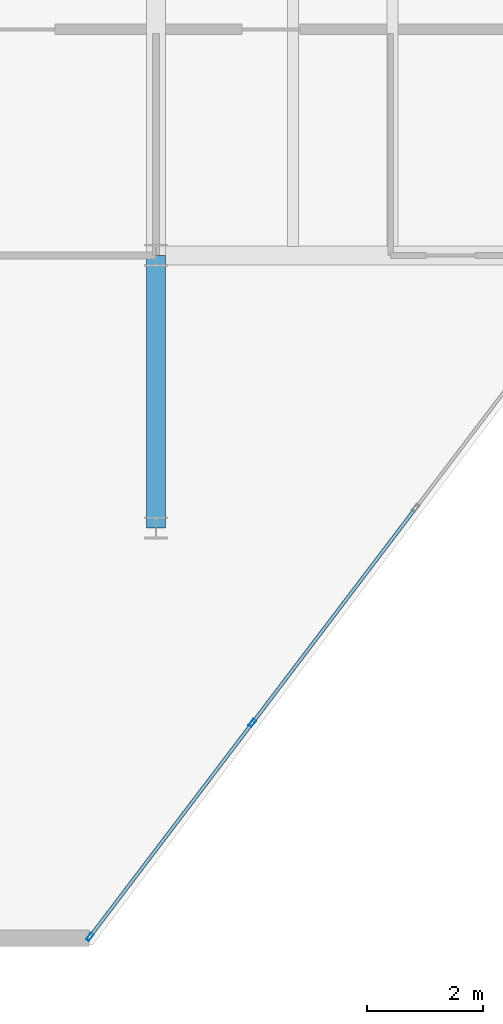
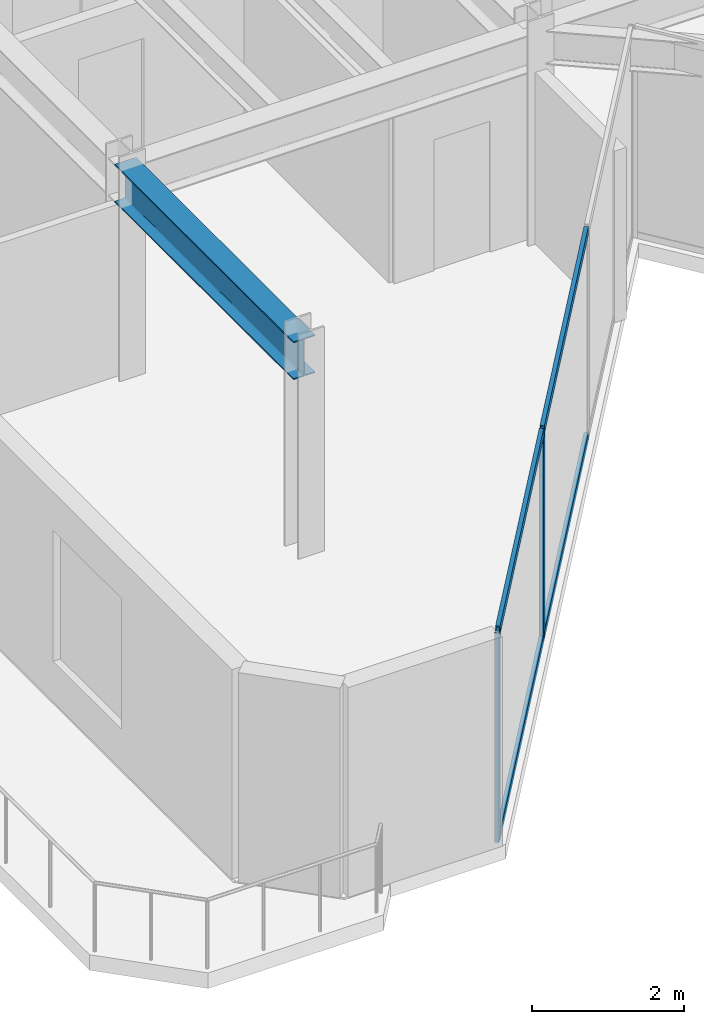
# One storey, part 2 of 16: 6 members, 1 beam, 1 element without a shape of its own.
"""IFC4 building model written with IfcOpenShell, lengths in metres."""

import ifcopenshell
import ifcopenshell.guid

model = None  # the IFC model being written
_history = None  # IfcOwnerHistory: only IFC2X3 demands one
_inside = {}  # id of a spatial element -> (the spatial element, [elements in it])
_under = {}  # id of a project, library or spatial element -> (it, [spatial elements below it])
_declared = {}  # id of a project -> (the project, [libraries it declares])
_typed = {}  # id of a type object -> (the type object, [elements of that type])
_made_of = {}  # id of a material, layer set ... -> (it, [elements and type objects made of it])


def new_model(schema):
    """Start an empty IFC model of exactly this schema.

    Asked for "IFC4X3", IfcOpenShell would pick the latest addendum, in which some entities
    have other attributes; the version numbers below select the first issue.
    IFC2X3 requires an IfcOwnerHistory on every rooted entity: one is made here for all.
    """
    global model, _history
    if schema == "IFC4X3":
        model = ifcopenshell.file(schema_version=(4, 3, 0, 0))
    else:
        model = ifcopenshell.file(schema=schema)
    _inside.clear()
    _under.clear()
    _declared.clear()
    _typed.clear()
    _made_of.clear()
    _history = None
    if model.schema == "IFC2X3":
        org = make("IfcOrganization", Name="unknown")
        user = make(
            "IfcPersonAndOrganization",
            ThePerson=make("IfcPerson", FamilyName="unknown"),
            TheOrganization=org,
        )
        app = make(
            "IfcApplication",
            ApplicationDeveloper=org,
            Version="unknown",
            ApplicationFullName="unknown",
            ApplicationIdentifier="unknown",
        )
        _history = make(
            "IfcOwnerHistory",
            OwningUser=user,
            OwningApplication=app,
            ChangeAction="ADDED",
            CreationDate=0,
        )
    return model


def make(cls, **values):
    """One entity of the class cls with the attributes given. An attribute that is None is left unset."""
    return model.create_entity(
        cls, **{name: value for name, value in values.items() if value is not None}
    )


def rooted(cls, **values):
    """An entity with a GlobalId (a new one), such as an element, a storey or a relation."""
    return make(cls, GlobalId=ifcopenshell.guid.new(), OwnerHistory=_history, **values)


def si_unit(unit_type, name, prefix=None):
    """IfcSIUnit, for example si_unit("LENGTHUNIT", "METRE", prefix="MILLI")."""
    return make("IfcSIUnit", UnitType=unit_type, Prefix=prefix, Name=name)


def assignment(units):
    """IfcUnitAssignment: the units of a project."""
    return None if units is None else make("IfcUnitAssignment", Units=units)


def point(xyz):
    """IfcCartesianPoint."""
    return None if xyz is None else make("IfcCartesianPoint", Coordinates=xyz)


def direction(xyz):
    """IfcDirection."""
    return None if xyz is None else make("IfcDirection", DirectionRatios=xyz)


def frame(location, z_axis=None, x_axis=None):
    """IfcAxis2Placement3D, a coordinate frame: its origin and axes. An axis left out is left unset."""
    return make(
        "IfcAxis2Placement3D",
        Location=point(location),
        Axis=direction(z_axis),
        RefDirection=direction(x_axis),
    )


def frame_2d(location, x_axis=None):
    """IfcAxis2Placement2D, a coordinate frame in the plane: its origin and x axis."""
    return make(
        "IfcAxis2Placement2D", Location=point(location), RefDirection=direction(x_axis)
    )


def origin():
    """The frame at (0, 0, 0) with its axes left unset."""
    return frame((0.0, 0.0, 0.0))


def origin_2d():
    """The frame at (0, 0) in the plane with its x axis left unset."""
    return frame_2d((0.0, 0.0))


def place(relative_to, where):
    """IfcLocalPlacement: puts the frame where relative to a parent placement (None: the world)."""
    return make(
        "IfcLocalPlacement", PlacementRelTo=relative_to, RelativePlacement=where
    )


def context(
    kind, dimensions, precision=None, world=None, true_north=None, identifier=None
):
    """IfcGeometricRepresentationContext, for example the 3D "Model" context."""
    return make(
        "IfcGeometricRepresentationContext",
        ContextIdentifier=identifier,
        ContextType=kind,
        CoordinateSpaceDimension=dimensions,
        Precision=precision,
        WorldCoordinateSystem=world,
        TrueNorth=true_north,
    )


def subcontext(parent, identifier, kind, view, scale=None):
    """IfcGeometricRepresentationSubContext, for example "Body" below "Model"."""
    return make(
        "IfcGeometricRepresentationSubContext",
        ContextIdentifier=identifier,
        ContextType=kind,
        ParentContext=parent,
        TargetScale=scale,
        TargetView=view,
    )


def project(units=None, contexts=None):
    """IfcProject with its units and contexts."""
    return rooted(
        "IfcProject",
        Name="project",
        RepresentationContexts=contexts,
        UnitsInContext=assignment(units),
    )


def spatial(cls, under=None, at=None, **own):
    """A site, building, storey or space (cls), placed at a placement, below another one or the project."""
    s = rooted(cls, ObjectPlacement=at, **own)
    if under is not None:
        _under.setdefault(under.id(), (under, []))[1].append(s)
    return s


def profile(cls, at=None, kind="AREA", **sizes):
    """A parametric profile (cls). Its sizes go by their IFC names, for example OverallWidth=200.0."""
    return make(cls, ProfileType=kind, Position=at, **sizes)


def hollow_rectangle(**sizes):
    """IfcRectangleHollowProfileDef."""
    return profile("IfcRectangleHollowProfileDef", **sizes)


def i_section(**sizes):
    """IfcIShapeProfileDef."""
    return profile("IfcIShapeProfileDef", **sizes)


def extrude(swept, where, along, depth):
    """IfcExtrudedAreaSolid: the profile swept, set in the frame where, extruded along a direction by depth."""
    return make(
        "IfcExtrudedAreaSolid",
        SweptArea=swept,
        Position=where,
        ExtrudedDirection=direction(along),
        Depth=depth,
    )


def shape(context_of_items, identifier, shape_type, items):
    """IfcShapeRepresentation: the items that make up one representation, for example the "Body"."""
    return make(
        "IfcShapeRepresentation",
        ContextOfItems=context_of_items,
        RepresentationIdentifier=identifier,
        RepresentationType=shape_type,
        Items=items,
    )


def material(Name=None, Category=None):
    """IfcMaterial."""
    return make("IfcMaterial", Name=Name, Category=Category)


def layer(
    of_material, thickness, ventilated=None, Name=None, Category=None, Priority=None
):
    """IfcMaterialLayer: one layer of a wall or slab, of a material (None: an air gap)."""
    return make(
        "IfcMaterialLayer",
        Material=of_material,
        LayerThickness=thickness,
        IsVentilated=ventilated,
        Name=Name,
        Category=Category,
        Priority=Priority,
    )


def layer_set(layers, Name=None):
    """IfcMaterialLayerSet."""
    return make("IfcMaterialLayerSet", MaterialLayers=layers, LayerSetName=Name)


def material_profile(
    of_material, cross_section, Name=None, Category=None, Priority=None
):
    """IfcMaterialProfile: a cross section and its material."""
    return make(
        "IfcMaterialProfile",
        Name=Name,
        Material=of_material,
        Profile=cross_section,
        Priority=Priority,
        Category=Category,
    )


def profile_set(profiles, Name=None, composite=None):
    """IfcMaterialProfileSet."""
    return make(
        "IfcMaterialProfileSet",
        Name=Name,
        MaterialProfiles=profiles,
        CompositeProfile=composite,
    )


def made_of(thing, what):
    """Note that an element or type object is made of a material, layer set ...; save() writes the relation."""
    if what is not None:
        _made_of.setdefault(what.id(), (what, []))[1].append(thing)
    return thing


def type_object(cls, material=None, **own):
    """A type object (cls), such as IfcWallType, which elements share."""
    return made_of(rooted(cls, **own), material)


def element(
    cls,
    number,
    at=None,
    inside=None,
    cuts=None,
    type_object=None,
    material=None,
    context=None,
    identifier="Body",
    shape_type=None,
    held_by="IfcProductDefinitionShape",
    body=None,
    shapes=None,
    **own,
):
    """One element of the class cls, such as IfcWall. Its Tag is "e" and its number.

    at: its placement. inside: the storey or other place that contains it. cuts: it is an
    opening in that element (IfcRelVoidsElement). A single representation is given by context,
    identifier, shape_type and body (its items); several are given by shapes. held_by: the class
    of the entity that holds the representations. save() writes the other relations.
    """
    e = rooted(cls, Tag="e%d" % number, ObjectPlacement=at, **own)
    if body is not None:
        shapes = [shape(context, identifier, shape_type, body)]
    if shapes is not None:
        e.Representation = make(held_by, Representations=shapes)
    if inside is not None:
        _inside.setdefault(inside.id(), (inside, []))[1].append(e)
    if cuts is not None:
        rooted(
            "IfcRelVoidsElement", RelatingBuildingElement=cuts, RelatedOpeningElement=e
        )
    if type_object is not None:
        _typed.setdefault(type_object.id(), (type_object, []))[1].append(e)
    return made_of(e, material)


def aggregate(whole, parts):
    """IfcRelAggregates: a whole, such as a stair, and the parts it consists of."""
    return rooted("IfcRelAggregates", RelatingObject=whole, RelatedObjects=parts)


def save(model, path):
    """Write the relations noted so far, then the file.

    IfcRelAggregates (storeys below a building ...), IfcRelContainedInSpatialStructure (elements
    in a storey), IfcRelDefinesByType, IfcRelAssociatesMaterial and IfcRelDeclares: one each for
    every whole, place, type object, material and project.
    """
    for whole, parts in _under.values():
        aggregate(whole, parts)
    for where, things in _inside.values():
        rooted(
            "IfcRelContainedInSpatialStructure",
            RelatedElements=things,
            RelatingStructure=where,
        )
    for kind, things in _typed.values():
        rooted("IfcRelDefinesByType", RelatedObjects=things, RelatingType=kind)
    for what, things in _made_of.values():
        rooted("IfcRelAssociatesMaterial", RelatedObjects=things, RelatingMaterial=what)
    for by, libraries in _declared.values():
        rooted("IfcRelDeclares", RelatingContext=by, RelatedDefinitions=libraries)
    model.write(path)


model = new_model("IFC4")

# Units and contexts
model_context = context("Model", 3, precision=1e-05, world=origin(), true_north=direction((0.0, 1.0)))
body_context = subcontext(model_context, "Body", "Model", "MODEL_VIEW")
ifc_project = project(units=[si_unit("LENGTHUNIT", "METRE"), si_unit("AREAUNIT", "SQUARE_METRE"), si_unit("VOLUMEUNIT", "CUBIC_METRE"), si_unit("PLANEANGLEUNIT", "RADIAN"), si_unit("MASSUNIT", "GRAM", prefix="KILO")], contexts=[model_context])

# Site, building, storey
site_placement = place(None, origin())
site = spatial("IfcSite", under=ifc_project, at=site_placement, CompositionType="ELEMENT")
building_placement = place(site_placement, origin())
building = spatial("IfcBuilding", under=site, at=building_placement, Name="Kravanh Interchange Tower", CompositionType="ELEMENT")
storey_placement = place(building_placement, frame((0.0, 0.0, 296.699951171875)))
storey = spatial("IfcBuildingStorey", under=building, at=storey_placement, Name="L73", CompositionType="ELEMENT", Elevation=296.699951171875)

# Curtain wall, members
ifc_material_1 = material(Name="Anodised Bronze Aluminium", Category="aluminium")
ifc_layer = layer(ifc_material_1, 0.179931640625)
ifc_layer_set = layer_set([ifc_layer], Name="Unitised Curtain Wall System CW-HTL Luxury Hotel")
curtain_wall_type = type_object("IfcCurtainWallType", Name="Unitised Curtain Wall System CW-HTL Luxury Hotel", PredefinedType="NOTDEFINED", material=ifc_layer_set)
curtain_wall_placement = place(storey_placement, origin())
curtain_wall = element("IfcCurtainWall", 1, at=curtain_wall_placement, inside=storey, type_object=curtain_wall_type, Name="L73 Unitised Curtain Wall CW-L73-05", PredefinedType="NOTDEFINED")
ifc_material_2 = material(Name="Anodised Bronze Aluminium", Category="aluminium")
ifc_material_profile_1 = material_profile(ifc_material_2, hollow_rectangle(XDim=0.06005859375, YDim=0.139892578125, WallThickness=0.00390625, at=origin_2d()), Name="ALU60X140X4")
ifc_profile_set_1 = profile_set([ifc_material_profile_1], Name="Anodised Bronze Aluminium")
member_type_1 = type_object("IfcMemberType", Name="Curtain Wall Mullion ALU60X140X4 Bronze", PredefinedType="MULLION", material=ifc_profile_set_1)
member_1_placement = place(storey_placement, frame((40.26025390625, 23.430419921875, 0.0), z_axis=(0.0, 0.0, 1.0), x_axis=(0.796161642797, -0.605083992962, 0.0)))
member_1 = element("IfcMember", 2, at=member_1_placement, type_object=member_type_1, Name="CW-HTL mullion 3", PredefinedType="MULLION", context=body_context, shape_type="SweptSolid", body=[
    extrude(hollow_rectangle(XDim=0.06005859375, YDim=0.139892578125, WallThickness=0.00390625, at=origin_2d()), origin(), (0.0, 0.0, 1.0), 3.364990234375),
])
member_2_placement = place(storey_placement, frame((37.458740234375, 19.743896484375, 0.0), z_axis=(0.0, 0.0, 1.0), x_axis=(0.796161642797, -0.605083992962, 0.0)))
member_2 = element("IfcMember", 3, at=member_2_placement, type_object=member_type_1, Name="CW-HTL mullion 4", PredefinedType="MULLION", context=body_context, shape_type="SweptSolid", body=[
    extrude(hollow_rectangle(XDim=0.06005859375, YDim=0.139892578125, WallThickness=0.00390625, at=origin_2d()), origin(), (0.0, 0.0, 1.0), 3.364990234375),
])
ifc_material_3 = material(Name="Anodised Bronze Aluminium", Category="aluminium")
ifc_material_profile_2 = material_profile(ifc_material_3, hollow_rectangle(XDim=0.06005859375, YDim=0.139892578125, WallThickness=0.00390625, at=origin_2d()), Name="ALU60X140X4")
ifc_profile_set_2 = profile_set([ifc_material_profile_2], Name="Anodised Bronze Aluminium")
member_type_2 = type_object("IfcMemberType", Name="Curtain Wall Transom ALU60X140X4 Bronze", PredefinedType="USERDEFINED", material=ifc_profile_set_2)
member_3_placement = place(storey_placement, frame((43.06201171875, 27.11669921875, 0.030029296875), z_axis=(-0.605065774315, -0.796175488666, 0.0), x_axis=(0.796175488666, -0.605065774315, 0.0)))
member_3 = element("IfcMember", 4, at=member_3_placement, type_object=member_type_2, Name="CW-HTL transom 2.1", ObjectType="TRANSOM", PredefinedType="USERDEFINED", context=body_context, shape_type="SweptSolid", body=[
    extrude(hollow_rectangle(XDim=0.06005859375, YDim=0.139892578125, WallThickness=0.00390625, at=origin_2d()), origin(), (0.0, 0.0, 1.0), 4.600341796875),
])
member_4_placement = place(storey_placement, frame((43.06201171875, 27.11669921875, 3.3349609375), z_axis=(-0.605065774315, -0.796175488666, 0.0), x_axis=(0.796175488666, -0.605065774315, 0.0)))
member_4 = element("IfcMember", 5, at=member_4_placement, type_object=member_type_2, Name="CW-HTL transom 2.2", ObjectType="TRANSOM", PredefinedType="USERDEFINED", context=body_context, shape_type="SweptSolid", body=[
    extrude(hollow_rectangle(XDim=0.06005859375, YDim=0.139892578125, WallThickness=0.00390625, at=origin_2d()), origin(), (0.0, 0.0, 1.0), 4.600341796875),
])
member_5_placement = place(storey_placement, frame((40.2421875, 23.406494140625, 0.030029296875), z_axis=(-0.605081913085, -0.796163223502, 0.0), x_axis=(0.796163223502, -0.605081913085, 0.0)))
member_5 = element("IfcMember", 6, at=member_5_placement, type_object=member_type_2, Name="CW-HTL transom 3.1", ObjectType="TRANSOM", PredefinedType="USERDEFINED", context=body_context, shape_type="SweptSolid", body=[
    extrude(hollow_rectangle(XDim=0.06005859375, YDim=0.139892578125, WallThickness=0.00390625, at=origin_2d()), origin(), (0.0, 0.0, 1.0), 4.5703125),
])
member_6_placement = place(storey_placement, frame((40.2421875, 23.406494140625, 3.3349609375), z_axis=(-0.605081913085, -0.796163223502, 0.0), x_axis=(0.796163223502, -0.605081913085, 0.0)))
member_6 = element("IfcMember", 7, at=member_6_placement, type_object=member_type_2, Name="CW-HTL transom 3.2", ObjectType="TRANSOM", PredefinedType="USERDEFINED", context=body_context, shape_type="SweptSolid", body=[
    extrude(hollow_rectangle(XDim=0.06005859375, YDim=0.139892578125, WallThickness=0.00390625, at=origin_2d()), origin(), (0.0, 0.0, 1.0), 4.5703125),
])
aggregate(curtain_wall, [member_1, member_2, member_3, member_4, member_5, member_6])

# Beam
ifc_material_4 = material(Name="Structural Steel S355", Category="steel")
ifc_material_profile_3 = material_profile(ifc_material_4, i_section(OverallWidth=0.323974609375, OverallDepth=0.611083984375, WebThickness=0.0126953125, FlangeThickness=0.01904296875, FilletRadius=0.02197265625, at=origin_2d()), Name="W24X104")
ifc_profile_set_3 = profile_set([ifc_material_profile_3], Name="Structural Steel S355")
beam_type = type_object("IfcBeamType", Name="Floor Beam W24X104 Structural Steel S355", PredefinedType="BEAM", material=ifc_profile_set_3)
beam_placement = place(storey_placement, frame((38.60009765625, 31.5, 3.0595703125), z_axis=(0.0, -1.0, 0.0), x_axis=(1.0, 0.0, 0.0)))
element("IfcBeam", 8, at=beam_placement, inside=storey, type_object=beam_type, Name="L73 Primary Floor Girder 17", PredefinedType="BEAM", context=body_context, shape_type="SweptSolid", body=[
    extrude(i_section(OverallWidth=0.323974609375, OverallDepth=0.611083984375, WebThickness=0.0126953125, FlangeThickness=0.01904296875, FilletRadius=0.02197265625, at=origin_2d()), origin(), (0.0, 0.0, 1.0), 4.699951171875),
])

save(model, "model.ifc")
